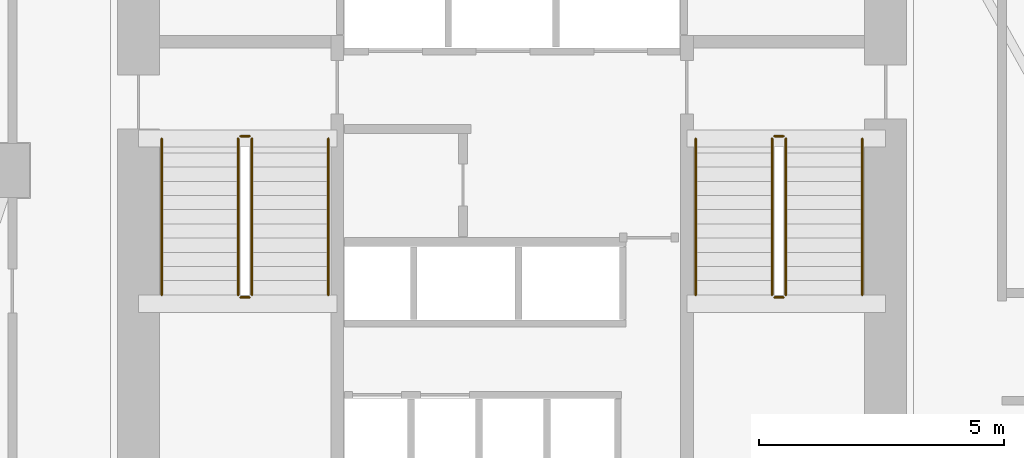
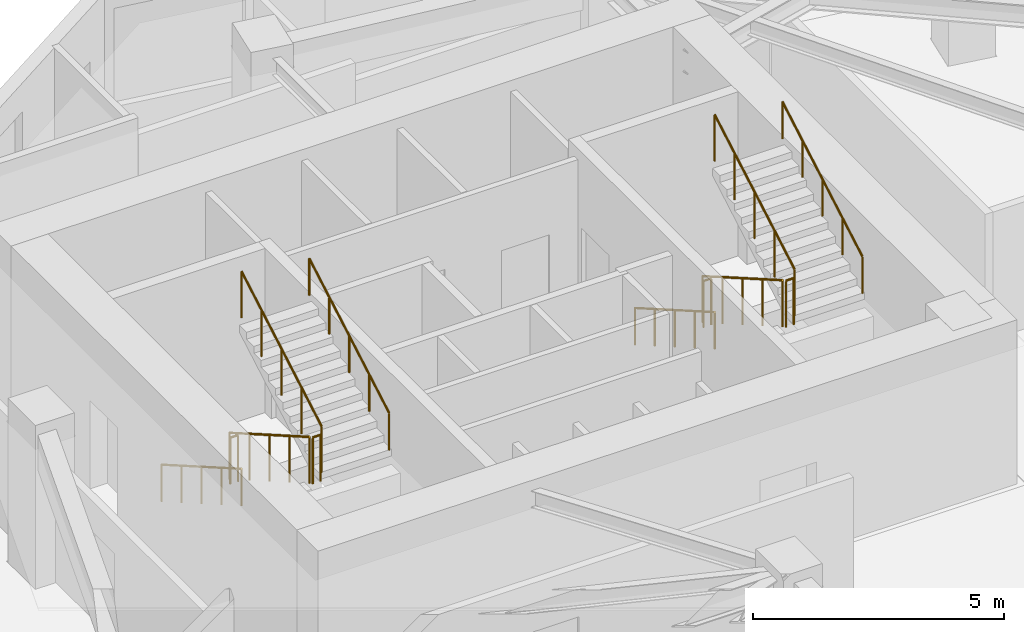
# One storey, part 10 of 11: 12 railings.
"""IFC4 building model written with IfcOpenShell, lengths in metres."""

from ifc_helpers import new_model, si_unit, direction, frame, origin, origin_2d, place, context, subcontext, project, spatial, circle, extrude, material, type_object, element, save


model = new_model("IFC4")

# Units and contexts
model_context = context("Model", 3, precision=1e-05, world=origin(), true_north=direction((0.0, 1.0)))
body_context = subcontext(model_context, "Body", "Model", "MODEL_VIEW")
ifc_project = project(units=[si_unit("LENGTHUNIT", "METRE"), si_unit("AREAUNIT", "SQUARE_METRE"), si_unit("VOLUMEUNIT", "CUBIC_METRE"), si_unit("PLANEANGLEUNIT", "RADIAN"), si_unit("MASSUNIT", "GRAM", prefix="KILO")], contexts=[model_context])

# Site, building, storey
site_placement = place(None, origin())
site = spatial("IfcSite", under=ifc_project, at=site_placement, CompositionType="ELEMENT")
building_placement = place(site_placement, origin())
building = spatial("IfcBuilding", under=site, at=building_placement, Name="Calvemar Wedge Station Tower", CompositionType="ELEMENT")
storey_placement = place(building_placement, frame((0.0, 0.0, 27.0)))
storey = spatial("IfcBuildingStorey", under=building, at=storey_placement, Name="L06", CompositionType="ELEMENT", Elevation=27.0)

# Railings
ifc_material_1 = material(Name="Stainless steel AISI 316L", Category="steel")
railing_type_1 = type_object("IfcRailingType", Name="RL-HANDRAIL-920", PredefinedType="HANDRAIL", material=ifc_material_1)
railing_1_placement = place(storey_placement, frame((16.64990234375, 41.14990234375, 0.166748046875)))
element("IfcRailing", 1, at=railing_1_placement, inside=storey, type_object=railing_type_1, Name="L06 ST-C1 stair handrail 1", PredefinedType="HANDRAIL", context=body_context, shape_type="SweptSolid", body=[
    extrude(circle(Radius=0.02392578125, at=origin_2d()), frame((0.0, 0.0, 0.89599609375), z_axis=(0.0, -0.867019545617, 0.498274128887), x_axis=(1.0, 0.0, 0.0)), (0.0, 0.0, 1.0), 3.67919921875),
    extrude(circle(Radius=0.02099609375, at=origin_2d()), origin(), (0.0, 0.0, 1.0), 0.871826171875),
    extrude(circle(Radius=0.02099609375, at=origin_2d()), frame((0.0, -0.79736328125, 0.458251953125)), (0.0, 0.0, 1.0), 0.871826171875),
    extrude(circle(Radius=0.02099609375, at=origin_2d()), frame((0.0, -1.594970703125, 0.91650390625)), (0.0, 0.0, 1.0), 0.871826171875),
    extrude(circle(Radius=0.02099609375, at=origin_2d()), frame((0.0, -2.392578125, 1.375)), (0.0, 0.0, 1.0), 0.871826171875),
    extrude(circle(Radius=0.02099609375, at=origin_2d()), frame((0.0, -3.18994140625, 1.833251953125)), (0.0, 0.0, 1.0), 0.871826171875),
])
railing_2_placement = place(storey_placement, frame((20.050048828125, 37.9599609375, 2.166748046875)))
element("IfcRailing", 2, at=railing_2_placement, inside=storey, type_object=railing_type_1, Name="L06 ST-C1 stair handrail 2", PredefinedType="HANDRAIL", context=body_context, shape_type="SweptSolid", body=[
    extrude(circle(Radius=0.02392578125, at=origin_2d()), frame((0.0, 0.0, 0.89599609375), z_axis=(0.0, 0.867019545617, 0.498274128887), x_axis=(-1.0, 0.0, 0.0)), (0.0, 0.0, 1.0), 3.67919921875),
    extrude(circle(Radius=0.02099609375, at=origin_2d()), origin(), (0.0, 0.0, 1.0), 0.871826171875),
    extrude(circle(Radius=0.02099609375, at=origin_2d()), frame((0.0, 0.79736328125, 0.458251953125)), (0.0, 0.0, 1.0), 0.871826171875),
    extrude(circle(Radius=0.02099609375, at=origin_2d()), frame((0.0, 1.594970703125, 0.91650390625)), (0.0, 0.0, 1.0), 0.871826171875),
    extrude(circle(Radius=0.02099609375, at=origin_2d()), frame((0.0, 2.392578125, 1.375)), (0.0, 0.0, 1.0), 0.871826171875),
    extrude(circle(Radius=0.02099609375, at=origin_2d()), frame((0.0, 3.18994140625, 1.833251953125)), (0.0, 0.0, 1.0), 0.871826171875),
])
railing_3_placement = place(storey_placement, frame((27.550048828125, 41.14990234375, 0.166748046875)))
element("IfcRailing", 3, at=railing_3_placement, inside=storey, type_object=railing_type_1, Name="L06 ST-C2 stair handrail 1", PredefinedType="HANDRAIL", context=body_context, shape_type="SweptSolid", body=[
    extrude(circle(Radius=0.02392578125, at=origin_2d()), frame((0.0, 0.0, 0.89599609375), z_axis=(0.0, -0.867019545617, 0.498274128887), x_axis=(1.0, 0.0, 0.0)), (0.0, 0.0, 1.0), 3.67919921875),
    extrude(circle(Radius=0.02099609375, at=origin_2d()), origin(), (0.0, 0.0, 1.0), 0.871826171875),
    extrude(circle(Radius=0.02099609375, at=origin_2d()), frame((0.0, -0.79736328125, 0.458251953125)), (0.0, 0.0, 1.0), 0.871826171875),
    extrude(circle(Radius=0.02099609375, at=origin_2d()), frame((0.0, -1.594970703125, 0.91650390625)), (0.0, 0.0, 1.0), 0.871826171875),
    extrude(circle(Radius=0.02099609375, at=origin_2d()), frame((0.0, -2.392578125, 1.375)), (0.0, 0.0, 1.0), 0.871826171875),
    extrude(circle(Radius=0.02099609375, at=origin_2d()), frame((0.0, -3.18994140625, 1.833251953125)), (0.0, 0.0, 1.0), 0.871826171875),
])
railing_4_placement = place(storey_placement, frame((30.949951171875, 37.9599609375, 2.166748046875)))
element("IfcRailing", 4, at=railing_4_placement, inside=storey, type_object=railing_type_1, Name="L06 ST-C2 stair handrail 2", PredefinedType="HANDRAIL", context=body_context, shape_type="SweptSolid", body=[
    extrude(circle(Radius=0.02392578125, at=origin_2d()), frame((0.0, 0.0, 0.89599609375), z_axis=(0.0, 0.867019545617, 0.498274128887), x_axis=(-1.0, 0.0, 0.0)), (0.0, 0.0, 1.0), 3.67919921875),
    extrude(circle(Radius=0.02099609375, at=origin_2d()), origin(), (0.0, 0.0, 1.0), 0.871826171875),
    extrude(circle(Radius=0.02099609375, at=origin_2d()), frame((0.0, 0.79736328125, 0.458251953125)), (0.0, 0.0, 1.0), 0.871826171875),
    extrude(circle(Radius=0.02099609375, at=origin_2d()), frame((0.0, 1.594970703125, 0.91650390625)), (0.0, 0.0, 1.0), 0.871826171875),
    extrude(circle(Radius=0.02099609375, at=origin_2d()), frame((0.0, 2.392578125, 1.375)), (0.0, 0.0, 1.0), 0.871826171875),
    extrude(circle(Radius=0.02099609375, at=origin_2d()), frame((0.0, 3.18994140625, 1.833251953125)), (0.0, 0.0, 1.0), 0.871826171875),
])
ifc_material_2 = material(Name="Painted steel guardrail ASTM A500 Grade C", Category="steel")
railing_type_2 = type_object("IfcRailingType", Name="RL-STAIR-GUARD-1150", PredefinedType="GUARDRAIL", material=ifc_material_2)
railing_5_placement = place(storey_placement, frame((18.2099609375, 41.14990234375, 0.166748046875)))
element("IfcRailing", 5, at=railing_5_placement, inside=storey, type_object=railing_type_2, Name="L06 ST-C1 stair guard 1", PredefinedType="GUARDRAIL", context=body_context, shape_type="SweptSolid", body=[
    extrude(circle(Radius=0.02392578125, at=origin_2d()), frame((0.0, 0.0, 1.1259765625), z_axis=(0.0, -0.867019545617, 0.498274128887), x_axis=(1.0, 0.0, 0.0)), (0.0, 0.0, 1.0), 3.67919921875),
    extrude(circle(Radius=0.02099609375, at=origin_2d()), origin(), (0.0, 0.0, 1.0), 1.101806640625),
    extrude(circle(Radius=0.02099609375, at=origin_2d()), frame((0.0, -0.79736328125, 0.458251953125)), (0.0, 0.0, 1.0), 1.101806640625),
    extrude(circle(Radius=0.02099609375, at=origin_2d()), frame((0.0, -1.594970703125, 0.91650390625)), (0.0, 0.0, 1.0), 1.101806640625),
    extrude(circle(Radius=0.02099609375, at=origin_2d()), frame((0.0, -2.392578125, 1.375)), (0.0, 0.0, 1.0), 1.101806640625),
    extrude(circle(Radius=0.02099609375, at=origin_2d()), frame((0.0, -3.18994140625, 1.833251953125)), (0.0, 0.0, 1.0), 1.101806640625),
])
railing_6_placement = place(storey_placement, frame((18.260009765625, 37.909912109375, 2.0)))
element("IfcRailing", 6, at=railing_6_placement, inside=storey, type_object=railing_type_2, Name="L06 ST-C1 stair guard 2", PredefinedType="GUARDRAIL", context=body_context, shape_type="SweptSolid", body=[
    extrude(circle(Radius=0.02392578125, at=origin_2d()), frame((0.0, 0.0, 1.1259765625), z_axis=(1.0, 0.0, 0.0), x_axis=(0.0, 1.0, 0.0)), (0.0, 0.0, 1.0), 0.179931640625),
    extrude(circle(Radius=0.02099609375, at=origin_2d()), origin(), (0.0, 0.0, 1.0), 1.101806640625),
    extrude(circle(Radius=0.02099609375, at=origin_2d()), frame((0.179931640625, 0.0, 0.0)), (0.0, 0.0, 1.0), 1.101806640625),
])
railing_7_placement = place(storey_placement, frame((18.489990234375, 37.9599609375, 2.166748046875)))
element("IfcRailing", 7, at=railing_7_placement, inside=storey, type_object=railing_type_2, Name="L06 ST-C1 stair guard 3", PredefinedType="GUARDRAIL", context=body_context, shape_type="SweptSolid", body=[
    extrude(circle(Radius=0.02392578125, at=origin_2d()), frame((0.0, 0.0, 1.1259765625), z_axis=(0.0, 0.867019545617, 0.498274128887), x_axis=(-1.0, 0.0, 0.0)), (0.0, 0.0, 1.0), 3.67919921875),
    extrude(circle(Radius=0.02099609375, at=origin_2d()), origin(), (0.0, 0.0, 1.0), 1.101806640625),
    extrude(circle(Radius=0.02099609375, at=origin_2d()), frame((0.0, 0.79736328125, 0.458251953125)), (0.0, 0.0, 1.0), 1.101806640625),
    extrude(circle(Radius=0.02099609375, at=origin_2d()), frame((0.0, 1.594970703125, 0.91650390625)), (0.0, 0.0, 1.0), 1.101806640625),
    extrude(circle(Radius=0.02099609375, at=origin_2d()), frame((0.0, 2.392578125, 1.375)), (0.0, 0.0, 1.0), 1.101806640625),
    extrude(circle(Radius=0.02099609375, at=origin_2d()), frame((0.0, 3.18994140625, 1.833251953125)), (0.0, 0.0, 1.0), 1.101806640625),
])
railing_8_placement = place(storey_placement, frame((18.260009765625, 41.199951171875, 0.0)))
element("IfcRailing", 8, at=railing_8_placement, inside=storey, type_object=railing_type_2, Name="L06 ST-C1 stair guard 4", PredefinedType="GUARDRAIL", context=body_context, shape_type="SweptSolid", body=[
    extrude(circle(Radius=0.02392578125, at=origin_2d()), frame((0.0, 0.0, 1.1259765625), z_axis=(1.0, 0.0, 0.0), x_axis=(0.0, 1.0, 0.0)), (0.0, 0.0, 1.0), 0.179931640625),
    extrude(circle(Radius=0.02099609375, at=origin_2d()), origin(), (0.0, 0.0, 1.0), 1.101806640625),
    extrude(circle(Radius=0.02099609375, at=origin_2d()), frame((0.179931640625, 0.0, 0.0)), (0.0, 0.0, 1.0), 1.101806640625),
])
railing_9_placement = place(storey_placement, frame((29.110107421875, 41.14990234375, 0.166748046875)))
element("IfcRailing", 9, at=railing_9_placement, inside=storey, type_object=railing_type_2, Name="L06 ST-C2 stair guard 1", PredefinedType="GUARDRAIL", context=body_context, shape_type="SweptSolid", body=[
    extrude(circle(Radius=0.02392578125, at=origin_2d()), frame((0.0, 0.0, 1.1259765625), z_axis=(0.0, -0.867019545617, 0.498274128887), x_axis=(1.0, 0.0, 0.0)), (0.0, 0.0, 1.0), 3.67919921875),
    extrude(circle(Radius=0.02099609375, at=origin_2d()), origin(), (0.0, 0.0, 1.0), 1.101806640625),
    extrude(circle(Radius=0.02099609375, at=origin_2d()), frame((0.0, -0.79736328125, 0.458251953125)), (0.0, 0.0, 1.0), 1.101806640625),
    extrude(circle(Radius=0.02099609375, at=origin_2d()), frame((0.0, -1.594970703125, 0.91650390625)), (0.0, 0.0, 1.0), 1.101806640625),
    extrude(circle(Radius=0.02099609375, at=origin_2d()), frame((0.0, -2.392578125, 1.375)), (0.0, 0.0, 1.0), 1.101806640625),
    extrude(circle(Radius=0.02099609375, at=origin_2d()), frame((0.0, -3.18994140625, 1.833251953125)), (0.0, 0.0, 1.0), 1.101806640625),
])
railing_10_placement = place(storey_placement, frame((29.159912109375, 37.909912109375, 2.0)))
element("IfcRailing", 10, at=railing_10_placement, inside=storey, type_object=railing_type_2, Name="L06 ST-C2 stair guard 2", PredefinedType="GUARDRAIL", context=body_context, shape_type="SweptSolid", body=[
    extrude(circle(Radius=0.02392578125, at=origin_2d()), frame((0.0, 0.0, 1.1259765625), z_axis=(1.0, 0.0, 0.0), x_axis=(0.0, 1.0, 0.0)), (0.0, 0.0, 1.0), 0.18017578125),
    extrude(circle(Radius=0.02099609375, at=origin_2d()), origin(), (0.0, 0.0, 1.0), 1.101806640625),
    extrude(circle(Radius=0.02099609375, at=origin_2d()), frame((0.18017578125, 0.0, 0.0)), (0.0, 0.0, 1.0), 1.101806640625),
])
railing_11_placement = place(storey_placement, frame((29.389892578125, 37.9599609375, 2.166748046875)))
element("IfcRailing", 11, at=railing_11_placement, inside=storey, type_object=railing_type_2, Name="L06 ST-C2 stair guard 3", PredefinedType="GUARDRAIL", context=body_context, shape_type="SweptSolid", body=[
    extrude(circle(Radius=0.02392578125, at=origin_2d()), frame((0.0, 0.0, 1.1259765625), z_axis=(0.0, 0.867019545617, 0.498274128887), x_axis=(-1.0, 0.0, 0.0)), (0.0, 0.0, 1.0), 3.67919921875),
    extrude(circle(Radius=0.02099609375, at=origin_2d()), origin(), (0.0, 0.0, 1.0), 1.101806640625),
    extrude(circle(Radius=0.02099609375, at=origin_2d()), frame((0.0, 0.79736328125, 0.458251953125)), (0.0, 0.0, 1.0), 1.101806640625),
    extrude(circle(Radius=0.02099609375, at=origin_2d()), frame((0.0, 1.594970703125, 0.91650390625)), (0.0, 0.0, 1.0), 1.101806640625),
    extrude(circle(Radius=0.02099609375, at=origin_2d()), frame((0.0, 2.392578125, 1.375)), (0.0, 0.0, 1.0), 1.101806640625),
    extrude(circle(Radius=0.02099609375, at=origin_2d()), frame((0.0, 3.18994140625, 1.833251953125)), (0.0, 0.0, 1.0), 1.101806640625),
])
railing_12_placement = place(storey_placement, frame((29.159912109375, 41.199951171875, 0.0)))
element("IfcRailing", 12, at=railing_12_placement, inside=storey, type_object=railing_type_2, Name="L06 ST-C2 stair guard 4", PredefinedType="GUARDRAIL", context=body_context, shape_type="SweptSolid", body=[
    extrude(circle(Radius=0.02392578125, at=origin_2d()), frame((0.0, 0.0, 1.1259765625), z_axis=(1.0, 0.0, 0.0), x_axis=(0.0, 1.0, 0.0)), (0.0, 0.0, 1.0), 0.18017578125),
    extrude(circle(Radius=0.02099609375, at=origin_2d()), origin(), (0.0, 0.0, 1.0), 1.101806640625),
    extrude(circle(Radius=0.02099609375, at=origin_2d()), frame((0.18017578125, 0.0, 0.0)), (0.0, 0.0, 1.0), 1.101806640625),
])

save(model, "model.ifc")
